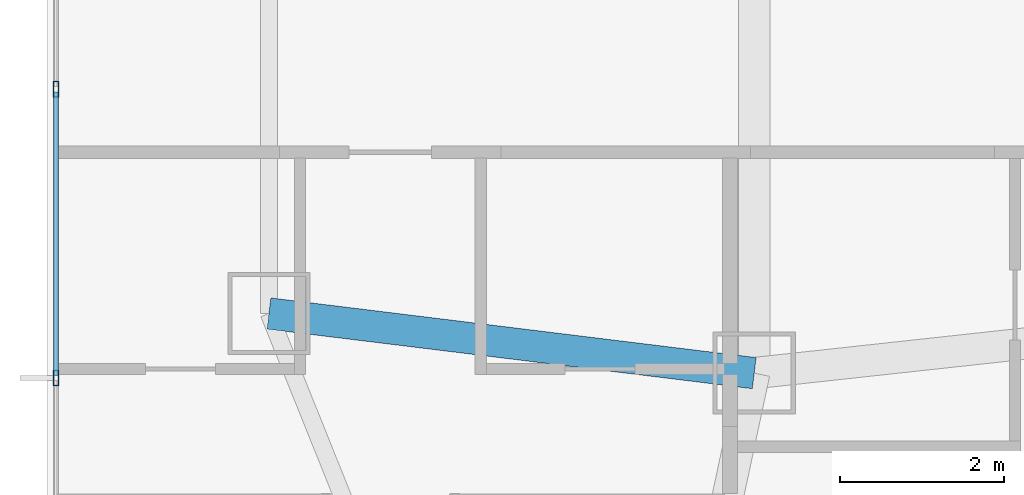
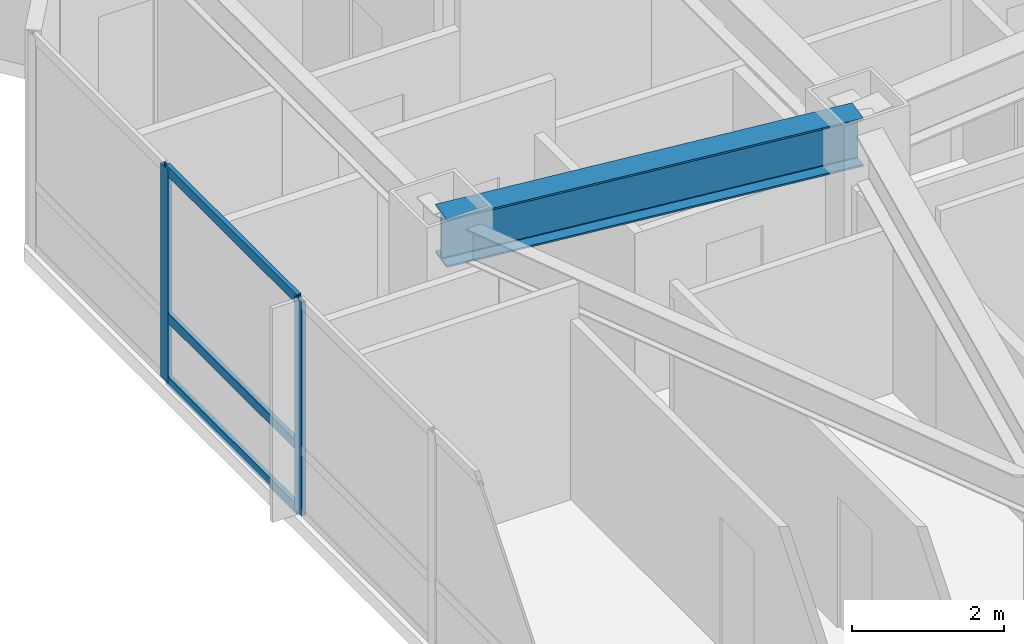
# One storey, part 4 of 21: 5 members, 1 beam, 1 element without a shape of its own.
"""IFC4 building model written with IfcOpenShell, lengths in metres."""

from ifc_helpers import new_model, si_unit, direction, frame, origin, origin_2d, place, context, subcontext, project, spatial, hollow_rectangle, i_section, extrude, material, material_profile, profile_set, type_object, element, aggregate, save


model = new_model("IFC4")

# Units and contexts
model_context = context("Model", 3, precision=1e-05, world=origin(), true_north=direction((0.0, 1.0)))
body_context = subcontext(model_context, "Body", "Model", "MODEL_VIEW")
ifc_project = project(units=[si_unit("LENGTHUNIT", "METRE"), si_unit("AREAUNIT", "SQUARE_METRE"), si_unit("VOLUMEUNIT", "CUBIC_METRE"), si_unit("PLANEANGLEUNIT", "RADIAN"), si_unit("MASSUNIT", "GRAM", prefix="KILO")], contexts=[model_context])

# Site, building, storey
site_placement = place(None, origin())
site = spatial("IfcSite", under=ifc_project, at=site_placement, CompositionType="ELEMENT")
building_placement = place(site_placement, origin())
building = spatial("IfcBuilding", under=site, at=building_placement, Name="Khamvora Tower", CompositionType="ELEMENT")
storey_placement = place(building_placement, frame((0.0, 0.0, 98.25)))
storey = spatial("IfcBuildingStorey", under=building, at=storey_placement, Name="L24", CompositionType="ELEMENT", Elevation=98.25)

# Beam
ifc_material_1 = material(Name="Steel S355", Category="steel")
ifc_material_profile_1 = material_profile(ifc_material_1, i_section(OverallWidth=0.381103515625, OverallDepth=0.77294921875, WebThickness=0.01708984375, FlangeThickness=0.027099609375, FilletRadius=0.01806640625, at=origin_2d()), Name="W760x257")
ifc_profile_set_1 = profile_set([ifc_material_profile_1], Name="Steel S355")
beam_type = type_object("IfcBeamType", Name="BM-PG-W760x257", PredefinedType="BEAM", material=ifc_profile_set_1)
beam_placement = place(storey_placement, frame((18.0, 17.800048828125, 3.0439453125), z_axis=(-0.992537264608, 0.12194170068, 0.0), x_axis=(-0.12194170068, -0.992537264608, 0.0)))
element("IfcBeam", 1, at=beam_placement, inside=storey, type_object=beam_type, Name="L24 primary floor girder W1", PredefinedType="BEAM", context=body_context, shape_type="SweptSolid", body=[
    extrude(i_section(OverallWidth=0.381103515625, OverallDepth=0.77294921875, WebThickness=0.01708984375, FlangeThickness=0.027099609375, FilletRadius=0.01806640625, at=origin_2d()), origin(), (0.0, 0.0, 1.0), 5.9443359375),
])

# Curtain wall, members
ifc_material_2 = material(Name="Anodised Aluminium 6063-T6", Category="aluminium")
curtain_wall_type = type_object("IfcCurtainWallType", Name="CW-SYS-03", PredefinedType="NOTDEFINED", material=ifc_material_2)
curtain_wall_placement = place(storey_placement, origin())
curtain_wall = element("IfcCurtainWall", 2, at=curtain_wall_placement, inside=storey, type_object=curtain_wall_type, Name="L24 stick curtain wall 02.1", PredefinedType="NOTDEFINED")
ifc_material_profile_2 = material_profile(ifc_material_2, hollow_rectangle(XDim=0.06494140625, YDim=0.18994140625, WallThickness=0.0048828125, at=origin_2d()), Name="MUL65x190x5")
ifc_profile_set_2 = profile_set([ifc_material_profile_2], Name="Anodised Aluminium 6063-T6")
member_type_1 = type_object("IfcMemberType", Name="CW-SYS-03-MUL", PredefinedType="MULLION", material=ifc_profile_set_2)
member_1_placement = place(storey_placement, frame((9.510009765625, 17.739990234375, 0.0), z_axis=(0.0, 0.0, 1.0), x_axis=(-1.0, 0.0, 0.0)))
member_1 = element("IfcMember", 3, at=member_1_placement, type_object=member_type_1, Name="CW-03 mullion 3", PredefinedType="MULLION", context=body_context, shape_type="SweptSolid", body=[
    extrude(hollow_rectangle(XDim=0.06494140625, YDim=0.18994140625, WallThickness=0.0048828125, at=origin_2d()), origin(), (0.0, 0.0, 1.0), 3.429931640625),
])
member_2_placement = place(storey_placement, frame((9.510009765625, 21.25146484375, 0.0), z_axis=(0.0, 0.0, 1.0), x_axis=(-1.0, 0.0, 0.0)))
member_2 = element("IfcMember", 4, at=member_2_placement, type_object=member_type_1, Name="CW-03 mullion 4", PredefinedType="MULLION", context=body_context, shape_type="SweptSolid", body=[
    extrude(hollow_rectangle(XDim=0.06494140625, YDim=0.18994140625, WallThickness=0.0048828125, at=origin_2d()), origin(), (0.0, 0.0, 1.0), 3.429931640625),
])
ifc_material_profile_3 = material_profile(ifc_material_2, hollow_rectangle(XDim=0.06494140625, YDim=0.155029296875, WallThickness=0.0048828125, at=origin_2d()), Name="TRN65x155x5")
ifc_profile_set_3 = profile_set([ifc_material_profile_3], Name="Anodised Aluminium 6063-T6")
member_type_2 = type_object("IfcMemberType", Name="CW-SYS-03-TRN", PredefinedType="USERDEFINED", material=ifc_profile_set_3)
member_3_placement = place(storey_placement, frame((9.510009765625, 17.7724609375, 0.032470703125), z_axis=(0.0, 1.0, 0.0), x_axis=(-1.0, 0.0, 0.0)))
member_3 = element("IfcMember", 5, at=member_3_placement, type_object=member_type_2, Name="CW-03 transom 3.1", ObjectType="TRANSOM", PredefinedType="USERDEFINED", context=body_context, shape_type="SweptSolid", body=[
    extrude(hollow_rectangle(XDim=0.06494140625, YDim=0.155029296875, WallThickness=0.0048828125, at=origin_2d()), origin(), (0.0, 0.0, 1.0), 3.446533203125),
])
member_4_placement = place(storey_placement, frame((9.510009765625, 17.7724609375, 1.050048828125), z_axis=(0.0, 1.0, 0.0), x_axis=(-1.0, 0.0, 0.0)))
member_4 = element("IfcMember", 6, at=member_4_placement, type_object=member_type_2, Name="CW-03 transom 3.2", ObjectType="TRANSOM", PredefinedType="USERDEFINED", context=body_context, shape_type="SweptSolid", body=[
    extrude(hollow_rectangle(XDim=0.06494140625, YDim=0.155029296875, WallThickness=0.0048828125, at=origin_2d()), origin(), (0.0, 0.0, 1.0), 3.446533203125),
])
member_5_placement = place(storey_placement, frame((9.510009765625, 17.7724609375, 3.3974609375), z_axis=(0.0, 1.0, 0.0), x_axis=(-1.0, 0.0, 0.0)))
member_5 = element("IfcMember", 7, at=member_5_placement, type_object=member_type_2, Name="CW-03 transom 3.3", ObjectType="TRANSOM", PredefinedType="USERDEFINED", context=body_context, shape_type="SweptSolid", body=[
    extrude(hollow_rectangle(XDim=0.06494140625, YDim=0.155029296875, WallThickness=0.0048828125, at=origin_2d()), origin(), (0.0, 0.0, 1.0), 3.446533203125),
])
aggregate(curtain_wall, [member_1, member_2, member_3, member_4, member_5])

save(model, "model.ifc")
